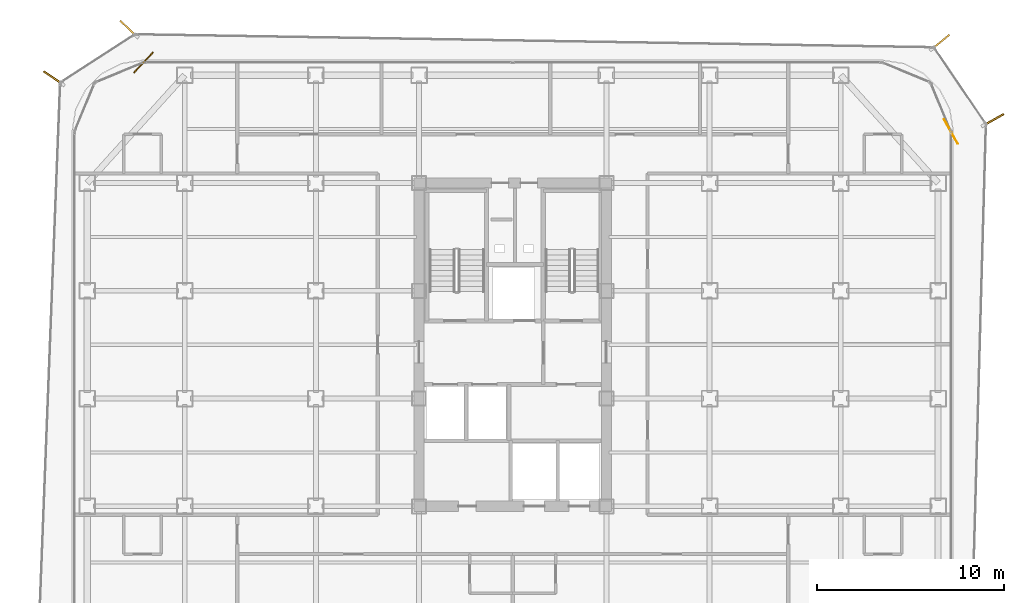
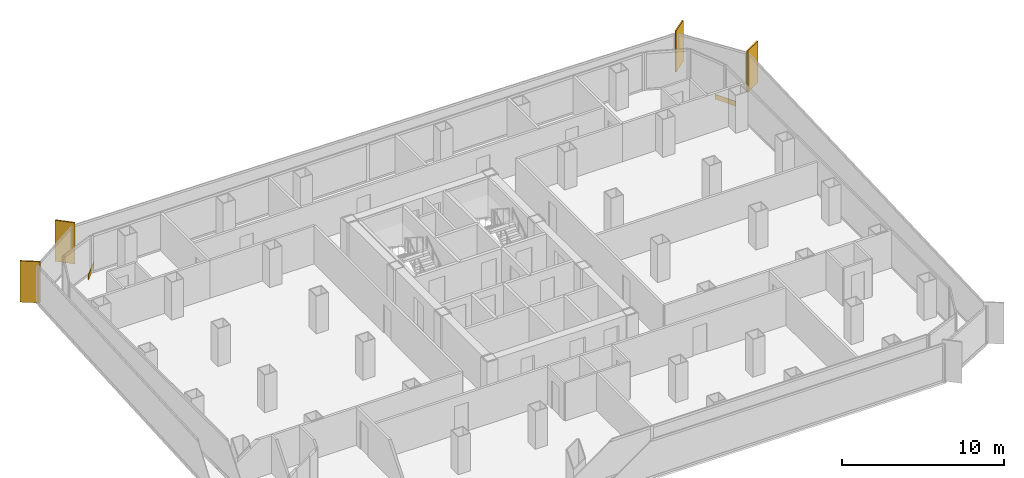
# One storey, part 21 of 21: 4 shading devices, 2 coverings.
"""IFC4 building model written with IfcOpenShell, lengths in metres."""

from ifc_helpers import new_model, si_unit, direction, frame, origin, origin_2d, place, context, subcontext, project, spatial, rectangle, extrude, source, transform, mapped, material, layer, layer_set, type_object, element, save


model = new_model("IFC4")

# Units and contexts
model_context = context("Model", 3, precision=1e-05, world=origin(), true_north=direction((0.0, 1.0)))
body_context = subcontext(model_context, "Body", "Model", "MODEL_VIEW")
ifc_project = project(units=[si_unit("LENGTHUNIT", "METRE"), si_unit("AREAUNIT", "SQUARE_METRE"), si_unit("VOLUMEUNIT", "CUBIC_METRE"), si_unit("PLANEANGLEUNIT", "RADIAN"), si_unit("MASSUNIT", "GRAM", prefix="KILO")], contexts=[model_context])

# Site, building, storey
site_placement = place(None, origin())
site = spatial("IfcSite", under=ifc_project, at=site_placement, CompositionType="ELEMENT")
building_placement = place(site_placement, origin())
building = spatial("IfcBuilding", under=site, at=building_placement, Name="Kolveth Station Tower", CompositionType="ELEMENT")
storey_placement = place(building_placement, frame((0.0, 0.0, 140.699951171875)))
storey = spatial("IfcBuildingStorey", under=building, at=storey_placement, Name="L39", CompositionType="ELEMENT", Elevation=140.699951171875)

# Shading devices
ifc_material_1 = material(Name="Black anodized aluminium 6063-T6", Category="aluminium")
shading_device_type = type_object("IfcShadingDeviceType", Name="FIN_VF1", PredefinedType="USERDEFINED", material=ifc_material_1)
shared_shape_1 = source(origin(), body_context, "Body", "SweptSolid", [
    extrude(rectangle(XDim=1.25, YDim=0.090087890625, at=origin_2d()), origin(), (0.0, 0.0, 1.0), 3.10009765625),
])
for number, where, z_axis, x_axis, name in (
    (1, (49.14501953125, 32.1220703125, 0.0), (0.0, 0.0, 1.0), (0.870870883366, 0.491511855915, 0.0), "L39 Dark-Aluminium Solar Fin 3"),
    (2, (46.322998046875, 36.27001953125, 0.0), (0.0, 0.0, 1.0), (0.774834166979, 0.632164546366, 0.0), "L39 Dark-Aluminium Solar Fin 4"),
    (3, (3.0048828125, 36.986083984375, 0.0), (0.0, 0.0, 1.0), (-0.727413564262, 0.686199319824, 0.0), "L39 Dark-Aluminium Solar Fin 5"),
    (4, (-1.011962890625, 34.35498046875, 0.0), (0.0, 0.0, 1.0), (-0.826294951862, 0.563237651908, 0.0), "L39 Dark-Aluminium Solar Fin 6"),
):
    element("IfcShadingDevice", number, at=place(storey_placement, frame(where, z_axis=z_axis, x_axis=x_axis)), inside=storey, type_object=shading_device_type, Name=name, ObjectType="FIN", PredefinedType="USERDEFINED", context=body_context, shape_type="MappedRepresentation", body=[
        mapped(shared_shape_1, transform((0.0, 0.0, 0.0), x_axis=(1.0, 0.0, 0.0), y_axis=(0.0, 1.0, 0.0), z_axis=(0.0, 0.0, 1.0), scale=1.0)),
    ])

# Coverings
ifc_material_2 = material(Name="Charcoal anodized aluminium spandrel cladding", Category="aluminium")
ifc_layer = layer(ifc_material_2, 0.044921875)
ifc_layer_set = layer_set([ifc_layer], Name="Charcoal anodized aluminium spandrel cladding")
covering_type = type_object("IfcCoveringType", Name="Clad_CD1", PredefinedType="CLADDING", material=ifc_layer_set)
shared_shape_2 = source(origin(), body_context, "Body", "SweptSolid", [
    extrude(rectangle(XDim=1.5, YDim=0.044921875, at=origin_2d()), origin(), (0.0, 0.0, 1.0), 0.360107421875),
])
for number, where, z_axis, x_axis, name in (
    (5, (46.8798828125, 31.5, 0.0), (0.0, 0.0, 1.0), (-0.491511855915, 0.870870883366, 0.0), "L39 Spandrel Edge Cladding 3"),
    (6, (3.800048828125, 35.179931640625, 0.0), (0.0, 0.0, 1.0), (-0.686199319824, -0.727413564262, 0.0), "L39 Spandrel Edge Cladding 5"),
):
    element("IfcCovering", number, at=place(storey_placement, frame(where, z_axis=z_axis, x_axis=x_axis)), inside=storey, type_object=covering_type, Name=name, PredefinedType="CLADDING", context=body_context, shape_type="MappedRepresentation", body=[
        mapped(shared_shape_2, transform((0.0, 0.0, 0.0), x_axis=(1.0, 0.0, 0.0), y_axis=(0.0, 1.0, 0.0), z_axis=(0.0, 0.0, 1.0), scale=1.0)),
    ])

save(model, "model.ifc")
